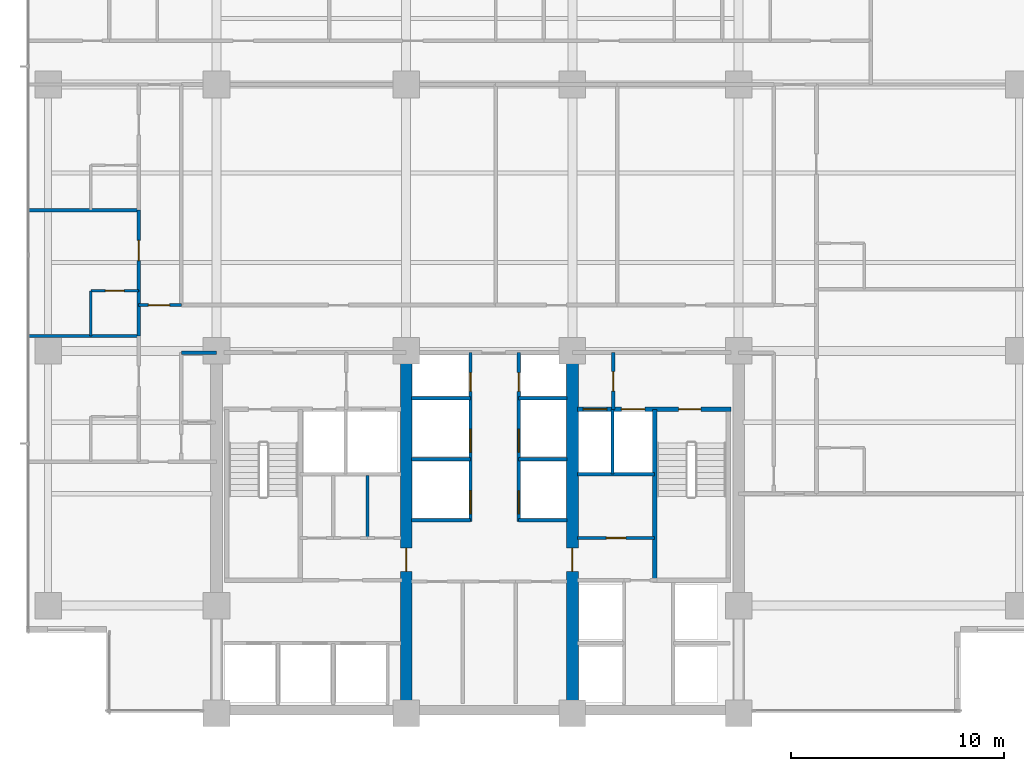
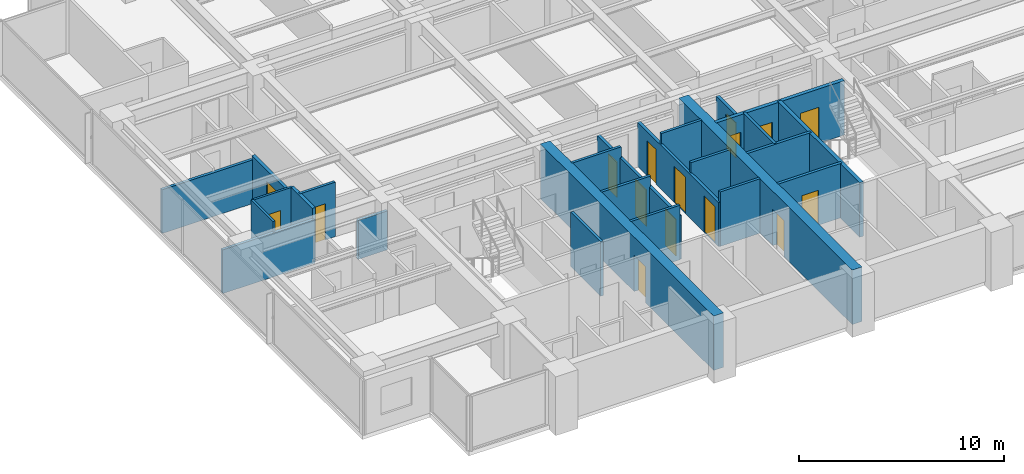
# One storey, part 9 of 18: 25 walls, 16 doors, 16 openings.
"""IFC4 building model written with IfcOpenShell, lengths in metres."""

from ifc_helpers import new_model, si_unit, direction, frame, frame_2d, origin, place, context, subcontext, project, spatial, rectangle, extrude, material, layer, layer_set, type_object, element, fill, save


model = new_model("IFC4")

# Units and contexts
model_context = context("Model", 3, precision=1e-05, world=origin(), true_north=direction((0.0, 1.0)))
body_context = subcontext(model_context, "Body", "Model", "MODEL_VIEW")
ifc_project = project(units=[si_unit("LENGTHUNIT", "METRE"), si_unit("AREAUNIT", "SQUARE_METRE"), si_unit("VOLUMEUNIT", "CUBIC_METRE"), si_unit("PLANEANGLEUNIT", "RADIAN"), si_unit("MASSUNIT", "GRAM", prefix="KILO")], contexts=[model_context])

# Site, building, storey
site_placement = place(None, origin())
site = spatial("IfcSite", under=ifc_project, at=site_placement, CompositionType="ELEMENT")
building_placement = place(site_placement, origin())
building = spatial("IfcBuilding", under=site, at=building_placement, Name="Qalmaran Belvedere Hotel", CompositionType="ELEMENT")
storey_placement = place(building_placement, frame((0.0, 0.0, 95.199951171875)))
storey = spatial("IfcBuildingStorey", under=building, at=storey_placement, Name="L23", CompositionType="ELEMENT", Elevation=95.199951171875)

# Wall, opening, door
ifc_material_1 = material(Name="Concrete C60/75", Category="concrete")
ifc_layer_1 = layer(ifc_material_1, 0.550048828125, Name="Concrete C60/75")
ifc_layer_set_1 = layer_set([ifc_layer_1], Name="Concrete C60/75")
wall_type_1 = type_object("IfcWallType", Name="WL-CORE-550-C60", PredefinedType="SHEAR", material=ifc_layer_set_1)
wall_1_placement = place(storey_placement, frame((29.199951171875, 3.5, 0.0), z_axis=(0.0, 0.0, 1.0), x_axis=(0.0, 1.0, 0.0)))
wall_1 = element("IfcWall", 1, at=wall_1_placement, inside=storey, type_object=wall_type_1, Name="L23 Core West Spine Shear Wall", PredefinedType="SHEAR", context=body_context, shape_type="SweptSolid", body=[
    extrude(rectangle(XDim=16.89990234375, YDim=0.550048828125, at=frame_2d((8.449951171875, 0.0))), origin(), (0.0, 0.0, 1.0), 3.239990234375),
])
opening_1_placement = place(wall_1_placement, frame((7.75, 0.0, 0.0), z_axis=(0.0, 0.0, 1.0), x_axis=(-1.0, 0.0, 0.0)))
opening_1 = element("IfcOpeningElement", 2, at=opening_1_placement, cuts=wall_1, Name="Opening FD90", PredefinedType="OPENING", context=body_context, shape_type="SweptSolid", body=[
    extrude(rectangle(XDim=1.10009765625, YDim=2.14990234375, at=frame_2d((0.550048828125, 1.074951171875))), frame((0.0, 0.28515625, 0.0), z_axis=(0.0, -1.0, 0.0), x_axis=(1.0, 0.0, 0.0)), (0.0, 0.0, 1.0), 0.570068359375),
])
ifc_material_2 = material(Name="Steel S355JR", Category="steel")
door_type_1 = type_object("IfcDoorType", Name="DR-FD90-1100X2150", OperationType="NOTDEFINED", PredefinedType="DOOR", material=ifc_material_2)
door_1_placement = place(opening_1_placement, origin())
door_1 = element("IfcDoor", 3, at=door_1_placement, inside=storey, type_object=door_type_1, Name="L23 Core West Cross-Lobby Door", OperationType="SINGLE_SWING_RIGHT", OverallHeight=2.14990234375, OverallWidth=1.10009765625, PredefinedType="DOOR", context=body_context, shape_type="SweptSolid", body=[
    extrude(rectangle(XDim=1.10009765625, YDim=2.14990234375, at=frame_2d((0.550048828125, 1.074951171875))), frame((0.0, 0.02490234375, 0.0), z_axis=(0.0, -1.0, 0.0), x_axis=(1.0, 0.0, 0.0)), (0.0, 0.0, 1.0), 0.050048828125),
])
fill(opening_1, door_1)

wall_2_placement = place(storey_placement, frame((37.0, 3.5, 0.0), z_axis=(0.0, 0.0, 1.0), x_axis=(0.0, 1.0, 0.0)))
wall_2 = element("IfcWall", 4, at=wall_2_placement, inside=storey, type_object=wall_type_1, Name="L23 Core East Spine Shear Wall", PredefinedType="SHEAR", context=body_context, shape_type="SweptSolid", body=[
    extrude(rectangle(XDim=16.89990234375, YDim=0.550048828125, at=frame_2d((8.449951171875, 0.0))), origin(), (0.0, 0.0, 1.0), 3.239990234375),
])
opening_2_placement = place(wall_2_placement, frame((6.64990234375, 0.0, 0.0)))
opening_2 = element("IfcOpeningElement", 5, at=opening_2_placement, cuts=wall_2, Name="Opening FD90", PredefinedType="OPENING", context=body_context, shape_type="SweptSolid", body=[
    extrude(rectangle(XDim=1.10009765625, YDim=2.14990234375, at=frame_2d((0.550048828125, 1.074951171875))), frame((0.0, 0.28515625, 0.0), z_axis=(0.0, -1.0, 0.0), x_axis=(1.0, 0.0, 0.0)), (0.0, 0.0, 1.0), 0.570068359375),
])
door_2_placement = place(opening_2_placement, origin())
door_2 = element("IfcDoor", 6, at=door_2_placement, inside=storey, type_object=door_type_1, Name="L23 Core East Cross-Lobby Door", OperationType="SINGLE_SWING_LEFT", OverallHeight=2.14990234375, OverallWidth=1.10009765625, PredefinedType="DOOR", context=body_context, shape_type="SweptSolid", body=[
    extrude(rectangle(XDim=1.10009765625, YDim=2.14990234375, at=frame_2d((0.550048828125, 1.074951171875))), frame((0.0, 0.02490234375, 0.0), z_axis=(0.0, -1.0, 0.0), x_axis=(1.0, 0.0, 0.0)), (0.0, 0.0, 1.0), 0.050048828125),
])
fill(opening_2, door_2)

ifc_material_3 = material(Name="Moisture-Resistant Gypsum")
ifc_layer_2 = layer(ifc_material_3, 0.1201171875, Name="Moisture-Resistant Gypsum")
ifc_layer_set_2 = layer_set([ifc_layer_2], Name="Moisture-Resistant Gypsum")
wall_type_2 = type_object("IfcWallType", Name="WL-INT-120-BATH", PredefinedType="PARTITIONING", material=ifc_layer_set_2)
wall_3_placement = place(storey_placement, frame((14.39990234375, 23.320068359375, 0.0), z_axis=(0.0, 0.0, 1.0), x_axis=(1.0, 0.0, 0.0)))
wall_3 = element("IfcWall", 7, at=wall_3_placement, inside=storey, type_object=wall_type_2, Name="L23 Partition WL-L23-WBN01", PredefinedType="PARTITIONING", context=body_context, shape_type="SweptSolid", body=[
    extrude(rectangle(XDim=2.25, YDim=0.1201171875, at=frame_2d((1.125, 0.0))), origin(), (0.0, 0.0, 1.0), 3.239990234375),
])
opening_3_placement = place(wall_3_placement, frame((1.56494140625, 0.0, 0.0), z_axis=(0.0, 0.0, 1.0), x_axis=(-1.0, 0.0, 0.0)))
opening_3 = element("IfcOpeningElement", 8, at=opening_3_placement, cuts=wall_3, Name="Opening D-BATH", PredefinedType="OPENING", context=body_context, shape_type="SweptSolid", body=[
    extrude(rectangle(XDim=0.8798828125, YDim=2.080078125, at=frame_2d((0.43994140625, 1.0400390625))), frame((0.0, 0.070068359375, 0.0), z_axis=(0.0, -1.0, 0.0), x_axis=(1.0, 0.0, 0.0)), (0.0, 0.0, 1.0), 0.14013671875),
])
ifc_material_4 = material(Name="Engineered Oak Veneer")
door_type_2 = type_object("IfcDoorType", Name="DR-INT-BATH-880X2080", OperationType="NOTDEFINED", PredefinedType="DOOR", material=ifc_material_4)
door_3_placement = place(opening_3_placement, origin())
door_3 = element("IfcDoor", 9, at=door_3_placement, inside=storey, type_object=door_type_2, Name="L23 W Ensuite Door 02", OperationType="SINGLE_SWING_LEFT", OverallHeight=2.080078125, OverallWidth=0.8798828125, PredefinedType="DOOR", context=body_context, shape_type="SweptSolid", body=[
    extrude(rectangle(XDim=0.8798828125, YDim=2.080078125, at=frame_2d((0.43994140625, 1.0400390625))), frame((0.0, 0.02490234375, 0.0), z_axis=(0.0, -1.0, 0.0), x_axis=(1.0, 0.0, 0.0)), (0.0, 0.0, 1.0), 0.050048828125),
])
fill(opening_3, door_3)

# Walls
wall_4_placement = place(storey_placement, frame((14.39990234375, 21.199951171875, 0.0), z_axis=(0.0, 0.0, 1.0), x_axis=(0.0, 1.0, 0.0)))
element("IfcWall", 10, at=wall_4_placement, inside=storey, type_object=wall_type_2, Name="L23 Partition WL-L23-WBS01", PredefinedType="PARTITIONING", context=body_context, shape_type="SweptSolid", body=[
    extrude(rectangle(XDim=2.1201171875, YDim=0.1201171875, at=frame_2d((1.06005859375, 0.0))), origin(), (0.0, 0.0, 1.0), 3.239990234375),
])
ifc_material_5 = material(Name="Gypsum Stud Partition")
ifc_layer_3 = layer(ifc_material_5, 0.14990234375, Name="Gypsum Stud Partition")
ifc_layer_set_3 = layer_set([ifc_layer_3], Name="Gypsum Stud Partition")
wall_type_3 = type_object("IfcWallType", Name="WL-INT-150-EI120", PredefinedType="PARTITIONING", material=ifc_layer_set_3)
wall_5_placement = place(storey_placement, frame((38.8798828125, 14.719970703125, 0.0), z_axis=(0.0, 0.0, 1.0), x_axis=(0.0, 1.0, 0.0)))
element("IfcWall", 11, at=wall_5_placement, inside=storey, type_object=wall_type_3, Name="L23 Partition WL-FF2M-L23", PredefinedType="PARTITIONING", context=body_context, shape_type="SweptSolid", body=[
    extrude(rectangle(XDim=3.0400390625, YDim=0.14990234375, at=frame_2d((1.52001953125, 0.0))), origin(), (0.0, 0.0, 1.0), 3.239990234375),
])
wall_6_placement = place(storey_placement, frame((29.449951171875, 12.550048828125, 0.0), z_axis=(0.0, 0.0, 1.0), x_axis=(1.0, 0.0, 0.0)))
element("IfcWall", 12, at=wall_6_placement, inside=storey, type_object=wall_type_3, Name="L23 Partition WL-PMW-L23-125", PredefinedType="PARTITIONING", context=body_context, shape_type="SweptSolid", body=[
    extrude(rectangle(XDim=2.77001953125, YDim=0.14990234375, at=frame_2d((1.385009765625, 0.0))), origin(), (0.0, 0.0, 1.0), 3.239990234375),
])
wall_7_placement = place(storey_placement, frame((34.47998046875, 12.550048828125, 0.0), z_axis=(0.0, 0.0, 1.0), x_axis=(1.0, 0.0, 0.0)))
element("IfcWall", 13, at=wall_7_placement, inside=storey, type_object=wall_type_3, Name="L23 Partition WL-PME-L23-125", PredefinedType="PARTITIONING", context=body_context, shape_type="SweptSolid", body=[
    extrude(rectangle(XDim=2.27001953125, YDim=0.14990234375, at=frame_2d((1.135009765625, 0.0))), origin(), (0.0, 0.0, 1.0), 3.239990234375),
])
wall_8_placement = place(storey_placement, frame((29.449951171875, 15.419921875, 0.0), z_axis=(0.0, 0.0, 1.0), x_axis=(1.0, 0.0, 0.0)))
element("IfcWall", 14, at=wall_8_placement, inside=storey, type_object=wall_type_3, Name="L23 Partition WL-PMW-L23-154", PredefinedType="PARTITIONING", context=body_context, shape_type="SweptSolid", body=[
    extrude(rectangle(XDim=2.77001953125, YDim=0.14990234375, at=frame_2d((1.385009765625, 0.0))), origin(), (0.0, 0.0, 1.0), 3.239990234375),
])
wall_9_placement = place(storey_placement, frame((34.47998046875, 15.419921875, 0.0), z_axis=(0.0, 0.0, 1.0), x_axis=(1.0, 0.0, 0.0)))
element("IfcWall", 15, at=wall_9_placement, inside=storey, type_object=wall_type_3, Name="L23 Partition WL-PME-L23-154", PredefinedType="PARTITIONING", context=body_context, shape_type="SweptSolid", body=[
    extrude(rectangle(XDim=2.27001953125, YDim=0.14990234375, at=frame_2d((1.135009765625, 0.0))), origin(), (0.0, 0.0, 1.0), 3.239990234375),
])
wall_10_placement = place(storey_placement, frame((29.449951171875, 18.280029296875, 0.0), z_axis=(0.0, 0.0, 1.0), x_axis=(1.0, 0.0, 0.0)))
element("IfcWall", 16, at=wall_10_placement, inside=storey, type_object=wall_type_3, Name="L23 Partition WL-PMW-L23-182", PredefinedType="PARTITIONING", context=body_context, shape_type="SweptSolid", body=[
    extrude(rectangle(XDim=2.77001953125, YDim=0.14990234375, at=frame_2d((1.385009765625, 0.0))), origin(), (0.0, 0.0, 1.0), 3.239990234375),
])
wall_11_placement = place(storey_placement, frame((34.47998046875, 18.280029296875, 0.0), z_axis=(0.0, 0.0, 1.0), x_axis=(1.0, 0.0, 0.0)))
element("IfcWall", 17, at=wall_11_placement, inside=storey, type_object=wall_type_3, Name="L23 Partition WL-PME-L23-182", PredefinedType="PARTITIONING", context=body_context, shape_type="SweptSolid", body=[
    extrude(rectangle(XDim=2.27001953125, YDim=0.14990234375, at=frame_2d((1.135009765625, 0.0))), origin(), (0.0, 0.0, 1.0), 3.239990234375),
])
ifc_layer_4 = layer(ifc_material_5, 0.14990234375, Name="Gypsum Stud Partition")
ifc_layer_set_4 = layer_set([ifc_layer_4], Name="Gypsum Stud Partition")
wall_type_4 = type_object("IfcWallType", Name="WL-INT-150-EI60", PredefinedType="PARTITIONING", material=ifc_layer_set_4)
wall_12_placement = place(storey_placement, frame((27.38916015625, 11.719970703125, 0.0), z_axis=(0.0, 0.0, 1.0), x_axis=(0.0, 1.0, 0.0)))
element("IfcWall", 18, at=wall_12_placement, inside=storey, type_object=wall_type_4, Name="L23 Partition WL-L23-KWV2", PredefinedType="PARTITIONING", context=body_context, shape_type="SweptSolid", body=[
    extrude(rectangle(XDim=2.929931640625, YDim=0.14990234375, at=frame_2d((1.46484375, 0.0))), origin(), (0.0, 0.0, 1.0), 3.239990234375),
])

# Wall, opening, door
wall_13_placement = place(storey_placement, frame((16.64990234375, 22.64990234375, 0.0), z_axis=(0.0, 0.0, 1.0), x_axis=(1.0, 0.0, 0.0)))
wall_13 = element("IfcWall", 19, at=wall_13_placement, inside=storey, type_object=wall_type_4, Name="L23 Partition WL-L23-XCW1", PredefinedType="PARTITIONING", context=body_context, shape_type="SweptSolid", body=[
    extrude(rectangle(XDim=2.0, YDim=0.14990234375, at=frame_2d((1.0, 0.0))), origin(), (0.0, 0.0, 1.0), 3.239990234375),
])
opening_4_placement = place(wall_13_placement, frame((0.449951171875, 0.0, 0.0)))
opening_4 = element("IfcOpeningElement", 20, at=opening_4_placement, cuts=wall_13, Name="Opening FD90B", PredefinedType="OPENING", context=body_context, shape_type="SweptSolid", body=[
    extrude(rectangle(XDim=1.0, YDim=2.14990234375, at=frame_2d((0.5, 1.074951171875))), frame((0.0, 0.0849609375, 0.0), z_axis=(0.0, -1.0, 0.0), x_axis=(1.0, 0.0, 0.0)), (0.0, 0.0, 1.0), 0.169921875),
])
door_type_3 = type_object("IfcDoorType", Name="DR-FD90B-1000X2150", OperationType="NOTDEFINED", PredefinedType="DOOR", material=ifc_material_2)
door_4_placement = place(opening_4_placement, origin())
door_4 = element("IfcDoor", 21, at=door_4_placement, inside=storey, type_object=door_type_3, Name="L23 West Corridor Smoke Door S", OperationType="SINGLE_SWING_RIGHT", OverallHeight=2.14990234375, OverallWidth=1.0, PredefinedType="DOOR", context=body_context, shape_type="SweptSolid", body=[
    extrude(rectangle(XDim=1.0, YDim=2.14990234375, at=frame_2d((0.5, 1.074951171875))), frame((0.0, 0.02490234375, 0.0), z_axis=(0.0, -1.0, 0.0), x_axis=(1.0, 0.0, 0.0)), (0.0, 0.0, 1.0), 0.050048828125),
])
fill(opening_4, door_4)

ifc_layer_5 = layer(ifc_material_5, 0.159912109375, Name="Gypsum Stud Partition")
ifc_layer_set_5 = layer_set([ifc_layer_5], Name="Gypsum Stud Partition")
wall_type_5 = type_object("IfcWallType", Name="WL-INT-160-EI120", PredefinedType="PARTITIONING", material=ifc_layer_set_5)
wall_14_placement = place(storey_placement, frame((38.919921875, 17.760009765625, 0.0), z_axis=(0.0, 0.0, 1.0), x_axis=(0.0, 1.0, 0.0)))
wall_14 = element("IfcWall", 22, at=wall_14_placement, inside=storey, type_object=wall_type_5, Name="L23 Partition WL-FFSV2-L23", PredefinedType="PARTITIONING", context=body_context, shape_type="SweptSolid", body=[
    extrude(rectangle(XDim=2.659912109375, YDim=0.159912109375, at=frame_2d((1.330078125, 0.0))), origin(), (0.0, 0.0, 1.0), 2.614013671875),
])
opening_5_placement = place(wall_14_placement, frame((1.77001953125, 0.0, 0.0), z_axis=(0.0, 0.0, 1.0), x_axis=(-1.0, 0.0, 0.0)))
opening_5 = element("IfcOpeningElement", 23, at=opening_5_placement, cuts=wall_14, Name="Opening FD60S1", PredefinedType="OPENING", context=body_context, shape_type="SweptSolid", body=[
    extrude(rectangle(XDim=0.919921875, YDim=2.080078125, at=frame_2d((0.4599609375, 1.0400390625))), frame((0.0, 0.08984375, 0.0), z_axis=(0.0, -1.0, 0.0), x_axis=(1.0, 0.0, 0.0)), (0.0, 0.0, 1.0), 0.179931640625),
])
door_type_4 = type_object("IfcDoorType", Name="DR-FD60S-920X2080", OperationType="NOTDEFINED", PredefinedType="DOOR", material=ifc_material_4)
door_5_placement = place(opening_5_placement, origin())
door_5 = element("IfcDoor", 24, at=door_5_placement, inside=storey, type_object=door_type_4, Name="L23 Service Lobby East Door", OperationType="SINGLE_SWING_LEFT", OverallHeight=2.080078125, OverallWidth=0.919921875, PredefinedType="DOOR", context=body_context, shape_type="SweptSolid", body=[
    extrude(rectangle(XDim=0.919921875, YDim=2.080078125, at=frame_2d((0.4599609375, 1.0400390625))), frame((0.0, 0.02490234375, 0.0), z_axis=(0.0, -1.0, 0.0), x_axis=(1.0, 0.0, 0.0)), (0.0, 0.0, 1.0), 0.050048828125),
])
fill(opening_5, door_5)

# Wall
wall_15_placement = place(storey_placement, frame((37.25, 14.719970703125, 0.0), z_axis=(0.0, 0.0, 1.0), x_axis=(1.0, 0.0, 0.0)))
element("IfcWall", 25, at=wall_15_placement, inside=storey, type_object=wall_type_5, Name="L23 Partition WL-FF2S-L23", PredefinedType="PARTITIONING", context=body_context, shape_type="SweptSolid", body=[
    extrude(rectangle(XDim=3.610107421875, YDim=0.159912109375, at=frame_2d((1.80517578125, 0.0))), origin(), (0.0, 0.0, 1.0), 3.239990234375),
])

# Wall, openings, doors
wall_16_placement = place(storey_placement, frame((32.219970703125, 12.5, 0.0), z_axis=(0.0, 0.0, 1.0), x_axis=(0.0, 1.0, 0.0)))
wall_16 = element("IfcWall", 26, at=wall_16_placement, inside=storey, type_object=wall_type_5, Name="L23 Partition WL-CLBWN-L23", PredefinedType="PARTITIONING", context=body_context, shape_type="SweptSolid", body=[
    extrude(rectangle(XDim=7.919921875, YDim=0.159912109375, at=frame_2d((3.9599609375, 0.0))), origin(), (0.0, 0.0, 1.0), 2.614013671875),
])
opening_6_placement = place(wall_16_placement, frame((1.43017578125, 0.0, 0.0), z_axis=(0.0, 0.0, 1.0), x_axis=(-1.0, 0.0, 0.0)))
opening_6 = element("IfcOpeningElement", 27, at=opening_6_placement, cuts=wall_16, Name="Opening LD-P1", PredefinedType="OPENING", context=body_context, shape_type="SweptSolid", body=[
    extrude(rectangle(XDim=1.080078125, YDim=2.159912109375, at=frame_2d((0.5400390625, 1.080078125))), frame((0.0, 0.08984375, 0.0), z_axis=(0.0, -1.0, 0.0), x_axis=(1.0, 0.0, 0.0)), (0.0, 0.0, 1.0), 0.179931640625),
])
opening_7_placement = place(wall_16_placement, frame((4.330078125, 0.0, 0.0), z_axis=(0.0, 0.0, 1.0), x_axis=(-1.0, 0.0, 0.0)))
opening_7 = element("IfcOpeningElement", 28, at=opening_7_placement, cuts=wall_16, Name="Opening LD-P1", PredefinedType="OPENING", context=body_context, shape_type="SweptSolid", body=[
    extrude(rectangle(XDim=1.080078125, YDim=2.159912109375, at=frame_2d((0.5400390625, 1.080078125))), frame((0.0, 0.08984375, 0.0), z_axis=(0.0, -1.0, 0.0), x_axis=(1.0, 0.0, 0.0)), (0.0, 0.0, 1.0), 0.179931640625),
])
opening_8_placement = place(wall_16_placement, frame((6.10009765625, 0.0, 0.0)))
opening_8 = element("IfcOpeningElement", 29, at=opening_8_placement, cuts=wall_16, Name="Opening FD60B", PredefinedType="OPENING", context=body_context, shape_type="SweptSolid", body=[
    extrude(rectangle(XDim=0.8798828125, YDim=2.080078125, at=frame_2d((0.43994140625, 1.0400390625))), frame((0.0, 0.08984375, 0.0), z_axis=(0.0, -1.0, 0.0), x_axis=(1.0, 0.0, 0.0)), (0.0, 0.0, 1.0), 0.179931640625),
])
door_type_5 = type_object("IfcDoorType", Name="DR-FD60B-880X2080", OperationType="NOTDEFINED", PredefinedType="DOOR", material=ifc_material_2)
door_6_placement = place(opening_8_placement, origin())
door_6 = element("IfcDoor", 30, at=door_6_placement, inside=storey, type_object=door_type_5, Name="L23 West Riser Access Door", OperationType="SINGLE_SWING_RIGHT", OverallHeight=2.080078125, OverallWidth=0.8798828125, PredefinedType="DOOR", context=body_context, shape_type="SweptSolid", body=[
    extrude(rectangle(XDim=0.8798828125, YDim=2.080078125, at=frame_2d((0.43994140625, 1.0400390625))), frame((0.0, 0.02490234375, 0.0), z_axis=(0.0, -1.0, 0.0), x_axis=(1.0, 0.0, 0.0)), (0.0, 0.0, 1.0), 0.050048828125),
])
fill(opening_8, door_6)
ifc_material_6 = material(Name="Stainless Steel 1.4401", Category="steel")
door_type_6 = type_object("IfcDoorType", Name="DR-LIFT-P1-1080X2160", OperationType="DOUBLE_DOOR_SLIDING", PredefinedType="DOOR", material=ifc_material_6)
door_7_placement = place(opening_6_placement, origin())
door_7 = element("IfcDoor", 31, at=door_7_placement, inside=storey, type_object=door_type_6, Name="L23 PM1 Lift Landing Door", OperationType="DOUBLE_DOOR_SLIDING", OverallHeight=2.159912109375, OverallWidth=1.080078125, PredefinedType="DOOR", context=body_context, shape_type="SweptSolid", body=[
    extrude(rectangle(XDim=1.080078125, YDim=2.159912109375, at=frame_2d((0.5400390625, 1.080078125))), frame((0.0, 0.02490234375, 0.0), z_axis=(0.0, -1.0, 0.0), x_axis=(1.0, 0.0, 0.0)), (0.0, 0.0, 1.0), 0.050048828125),
])
fill(opening_6, door_7)
door_8_placement = place(opening_7_placement, origin())
door_8 = element("IfcDoor", 32, at=door_8_placement, inside=storey, type_object=door_type_6, Name="L23 PM2 Lift Landing Door", OperationType="DOUBLE_DOOR_SLIDING", OverallHeight=2.159912109375, OverallWidth=1.080078125, PredefinedType="DOOR", context=body_context, shape_type="SweptSolid", body=[
    extrude(rectangle(XDim=1.080078125, YDim=2.159912109375, at=frame_2d((0.5400390625, 1.080078125))), frame((0.0, 0.02490234375, 0.0), z_axis=(0.0, -1.0, 0.0), x_axis=(1.0, 0.0, 0.0)), (0.0, 0.0, 1.0), 0.050048828125),
])
fill(opening_7, door_8)

wall_17_placement = place(storey_placement, frame((34.47998046875, 12.5, 0.0), z_axis=(0.0, 0.0, 1.0), x_axis=(0.0, 1.0, 0.0)))
wall_17 = element("IfcWall", 33, at=wall_17_placement, inside=storey, type_object=wall_type_5, Name="L23 Partition WL-CLBEN-L23", PredefinedType="PARTITIONING", context=body_context, shape_type="SweptSolid", body=[
    extrude(rectangle(XDim=7.919921875, YDim=0.159912109375, at=frame_2d((3.9599609375, 0.0))), origin(), (0.0, 0.0, 1.0), 2.614013671875),
])
opening_9_placement = place(wall_17_placement, frame((0.35009765625, 0.0, 0.0)))
opening_9 = element("IfcOpeningElement", 34, at=opening_9_placement, cuts=wall_17, Name="Opening LD-P1", PredefinedType="OPENING", context=body_context, shape_type="SweptSolid", body=[
    extrude(rectangle(XDim=1.080078125, YDim=2.159912109375, at=frame_2d((0.5400390625, 1.080078125))), frame((0.0, 0.08984375, 0.0), z_axis=(0.0, -1.0, 0.0), x_axis=(1.0, 0.0, 0.0)), (0.0, 0.0, 1.0), 0.179931640625),
])
opening_10_placement = place(wall_17_placement, frame((3.25, 0.0, 0.0)))
opening_10 = element("IfcOpeningElement", 35, at=opening_10_placement, cuts=wall_17, Name="Opening LD-P1", PredefinedType="OPENING", context=body_context, shape_type="SweptSolid", body=[
    extrude(rectangle(XDim=1.080078125, YDim=2.159912109375, at=frame_2d((0.5400390625, 1.080078125))), frame((0.0, 0.08984375, 0.0), z_axis=(0.0, -1.0, 0.0), x_axis=(1.0, 0.0, 0.0)), (0.0, 0.0, 1.0), 0.179931640625),
])
opening_11_placement = place(wall_17_placement, frame((6.97998046875, 0.0, 0.0), z_axis=(0.0, 0.0, 1.0), x_axis=(-1.0, 0.0, 0.0)))
opening_11 = element("IfcOpeningElement", 36, at=opening_11_placement, cuts=wall_17, Name="Opening FD60B", PredefinedType="OPENING", context=body_context, shape_type="SweptSolid", body=[
    extrude(rectangle(XDim=0.8798828125, YDim=2.080078125, at=frame_2d((0.43994140625, 1.0400390625))), frame((0.0, 0.08984375, 0.0), z_axis=(0.0, -1.0, 0.0), x_axis=(1.0, 0.0, 0.0)), (0.0, 0.0, 1.0), 0.179931640625),
])
door_9_placement = place(opening_11_placement, origin())
door_9 = element("IfcDoor", 37, at=door_9_placement, inside=storey, type_object=door_type_5, Name="L23 East Riser Access Door", OperationType="SINGLE_SWING_LEFT", OverallHeight=2.080078125, OverallWidth=0.8798828125, PredefinedType="DOOR", context=body_context, shape_type="SweptSolid", body=[
    extrude(rectangle(XDim=0.8798828125, YDim=2.080078125, at=frame_2d((0.43994140625, 1.0400390625))), frame((0.0, 0.02490234375, 0.0), z_axis=(0.0, -1.0, 0.0), x_axis=(1.0, 0.0, 0.0)), (0.0, 0.0, 1.0), 0.050048828125),
])
fill(opening_11, door_9)
door_10_placement = place(opening_9_placement, origin())
door_10 = element("IfcDoor", 38, at=door_10_placement, inside=storey, type_object=door_type_6, Name="L23 PM3 Lift Landing Door", OperationType="DOUBLE_DOOR_SLIDING", OverallHeight=2.159912109375, OverallWidth=1.080078125, PredefinedType="DOOR", context=body_context, shape_type="SweptSolid", body=[
    extrude(rectangle(XDim=1.080078125, YDim=2.159912109375, at=frame_2d((0.5400390625, 1.080078125))), frame((0.0, 0.02490234375, 0.0), z_axis=(0.0, -1.0, 0.0), x_axis=(1.0, 0.0, 0.0)), (0.0, 0.0, 1.0), 0.050048828125),
])
fill(opening_9, door_10)
door_11_placement = place(opening_10_placement, origin())
door_11 = element("IfcDoor", 39, at=door_11_placement, inside=storey, type_object=door_type_6, Name="L23 PM4 Lift Landing Door", OperationType="DOUBLE_DOOR_SLIDING", OverallHeight=2.159912109375, OverallWidth=1.080078125, PredefinedType="DOOR", context=body_context, shape_type="SweptSolid", body=[
    extrude(rectangle(XDim=1.080078125, YDim=2.159912109375, at=frame_2d((0.5400390625, 1.080078125))), frame((0.0, 0.02490234375, 0.0), z_axis=(0.0, -1.0, 0.0), x_axis=(1.0, 0.0, 0.0)), (0.0, 0.0, 1.0), 0.050048828125),
])
fill(opening_10, door_11)

# Wall, opening, door
ifc_layer_6 = layer(ifc_material_5, 0.159912109375, Name="Gypsum Stud Partition")
ifc_layer_set_6 = layer_set([ifc_layer_6], Name="Gypsum Stud Partition")
wall_type_6 = type_object("IfcWallType", Name="WL-INT-160-EI60", PredefinedType="PARTITIONING", material=ifc_layer_set_6)
wall_18_placement = place(storey_placement, frame((37.25, 11.719970703125, 0.0), z_axis=(0.0, 0.0, 1.0), x_axis=(1.0, 0.0, 0.0)))
wall_18 = element("IfcWall", 40, at=wall_18_placement, inside=storey, type_object=wall_type_6, Name="L23 Partition WL-L23-KEE1", PredefinedType="PARTITIONING", context=body_context, shape_type="SweptSolid", body=[
    extrude(rectangle(XDim=3.610107421875, YDim=0.159912109375, at=frame_2d((1.80517578125, 0.0))), origin(), (0.0, 0.0, 1.0), 3.239990234375),
])
opening_12_placement = place(wall_18_placement, frame((1.344970703125, 0.0, 0.0)))
opening_12 = element("IfcOpeningElement", 41, at=opening_12_placement, cuts=wall_18, Name="Opening FD60S1", PredefinedType="OPENING", context=body_context, shape_type="SweptSolid", body=[
    extrude(rectangle(XDim=0.919921875, YDim=2.080078125, at=frame_2d((0.4599609375, 1.0400390625))), frame((0.0, 0.08984375, 0.0), z_axis=(0.0, -1.0, 0.0), x_axis=(1.0, 0.0, 0.0)), (0.0, 0.0, 1.0), 0.179931640625),
])
door_12_placement = place(opening_12_placement, origin())
door_12 = element("IfcDoor", 42, at=door_12_placement, inside=storey, type_object=door_type_4, Name="L23 Guest Ice and Beverage Pantry Door", OperationType="SINGLE_SWING_RIGHT", OverallHeight=2.080078125, OverallWidth=0.919921875, PredefinedType="DOOR", context=body_context, shape_type="SweptSolid", body=[
    extrude(rectangle(XDim=0.919921875, YDim=2.080078125, at=frame_2d((0.4599609375, 1.0400390625))), frame((0.0, 0.02490234375, 0.0), z_axis=(0.0, -1.0, 0.0), x_axis=(1.0, 0.0, 0.0)), (0.0, 0.0, 1.0), 0.050048828125),
])
fill(opening_12, door_12)

# Walls
wall_19_placement = place(storey_placement, frame((18.64990234375, 20.419921875, 0.0), z_axis=(0.0, 0.0, 1.0), x_axis=(1.0, 0.0, 0.0)))
element("IfcWall", 43, at=wall_19_placement, inside=storey, type_object=wall_type_6, Name="L23 Partition WL-L23-WCLN", PredefinedType="PARTITIONING", context=body_context, shape_type="SweptSolid", body=[
    extrude(rectangle(XDim=1.650146484375, YDim=0.159912109375, at=frame_2d((0.8251953125, 0.0))), origin(), (0.0, 0.0, 1.0), 2.31298828125),
])
for number, where, z_axis, x_axis, name in (
    (44, (11.469970703125, 21.199951171875, 0.0), (0.0, 0.0, 1.0), (1.0, 0.0, 0.0), "L23 Partition WL-L23-WU00"),
    (45, (11.469970703125, 27.10009765625, 0.0), (0.0, 0.0, 1.0), (1.0, 0.0, 0.0), "L23 Partition WL-L23-WU01"),
):
    element("IfcWall", number, at=place(storey_placement, frame(where, z_axis=z_axis, x_axis=x_axis)), inside=storey, type_object=wall_type_6, Name=name, PredefinedType="PARTITIONING", context=body_context, shape_type="SweptSolid", body=[
        extrude(rectangle(XDim=5.179931640625, YDim=0.159912109375, at=frame_2d((2.58984375, 0.0))), origin(), (0.0, 0.0, 1.0), 2.60302734375),
    ])
ifc_layer_7 = layer(ifc_material_5, 0.179931640625, Name="Gypsum Stud Partition")
ifc_layer_set_7 = layer_set([ifc_layer_7], Name="Gypsum Stud Partition")
wall_type_7 = type_object("IfcWallType", Name="WL-INT-180-EI60", PredefinedType="PARTITIONING", material=ifc_layer_set_7)
wall_20_placement = place(storey_placement, frame((16.64990234375, 21.199951171875, 0.0), z_axis=(0.0, 0.0, 1.0), x_axis=(0.0, 1.0, 0.0)))
element("IfcWall", 46, at=wall_20_placement, inside=storey, type_object=wall_type_7, Name="L23 Partition WL-L23-WBC01", PredefinedType="PARTITIONING", context=body_context, shape_type="SweptSolid", body=[
    extrude(rectangle(XDim=2.1201171875, YDim=0.179931640625, at=frame_2d((1.06005859375, 0.0))), origin(), (0.0, 0.0, 1.0), 3.239990234375),
])

# Wall, opening, door
wall_21_placement = place(storey_placement, frame((16.64990234375, 23.320068359375, 0.0), z_axis=(0.0, 0.0, 1.0), x_axis=(0.0, 1.0, 0.0)))
wall_21 = element("IfcWall", 47, at=wall_21_placement, inside=storey, type_object=wall_type_7, Name="L23 Partition WL-L23-WEC01", PredefinedType="PARTITIONING", context=body_context, shape_type="SweptSolid", body=[
    extrude(rectangle(XDim=3.780029296875, YDim=0.179931640625, at=frame_2d((1.89013671875, 0.0))), origin(), (0.0, 0.0, 1.0), 2.818115234375),
])
opening_13_placement = place(wall_21_placement, frame((1.4150390625, 0.0, 0.0)))
opening_13 = element("IfcOpeningElement", 48, at=opening_13_placement, cuts=wall_21, Name="Opening FD60", PredefinedType="OPENING", context=body_context, shape_type="SweptSolid", body=[
    extrude(rectangle(XDim=0.949951171875, YDim=2.14990234375, at=frame_2d((0.47509765625, 1.074951171875))), frame((0.0, 0.10009765625, 0.0), z_axis=(0.0, -1.0, 0.0), x_axis=(1.0, 0.0, 0.0)), (0.0, 0.0, 1.0), 0.199951171875),
])
door_type_7 = type_object("IfcDoorType", Name="DR-FD60-950X2150", OperationType="NOTDEFINED", PredefinedType="DOOR", material=ifc_material_4)
door_13_placement = place(opening_13_placement, origin())
door_13 = element("IfcDoor", 49, at=door_13_placement, inside=storey, type_object=door_type_7, Name="L23 W Wing Door 02", OperationType="SINGLE_SWING_RIGHT", OverallHeight=2.14990234375, OverallWidth=0.949951171875, PredefinedType="DOOR", context=body_context, shape_type="SweptSolid", body=[
    extrude(rectangle(XDim=0.949951171875, YDim=2.14990234375, at=frame_2d((0.47509765625, 1.074951171875))), frame((0.0, 0.02490234375, 0.0), z_axis=(0.0, -1.0, 0.0), x_axis=(1.0, 0.0, 0.0)), (0.0, 0.0, 1.0), 0.050048828125),
])
fill(opening_13, door_13)

# Wall
ifc_material_7 = material(Name="Concrete C50/60", Category="concrete")
ifc_layer_8 = layer(ifc_material_7, 0.2099609375, Name="Concrete C50/60")
ifc_layer_set_8 = layer_set([ifc_layer_8], Name="Concrete C50/60")
wall_type_8 = type_object("IfcWallType", Name="WL-STAIR-210-C50", PredefinedType="SHEAR", material=ifc_layer_set_8)
wall_22_placement = place(storey_placement, frame((40.85498046875, 9.7451171875, 0.0), z_axis=(0.0, 0.0, 1.0), x_axis=(0.0, 1.0, 0.0)))
element("IfcWall", 50, at=wall_22_placement, inside=storey, type_object=wall_type_8, Name="L23 Stair ST-2 West Bearing Wall", PredefinedType="SHEAR", context=body_context, shape_type="SweptSolid", body=[
    extrude(rectangle(XDim=8.009765625, YDim=0.2099609375, at=frame_2d((4.0048828125, 0.0))), origin(), (0.0, 0.0, 1.0), 3.239990234375),
])

# Wall, openings, doors
wall_23_placement = place(storey_placement, frame((37.25, 17.7548828125, 0.0), z_axis=(0.0, 0.0, 1.0), x_axis=(1.0, 0.0, 0.0)))
wall_23 = element("IfcWall", 51, at=wall_23_placement, inside=storey, type_object=wall_type_8, Name="L23 East Lobby and Stair ST-2 North Bearing Wall", PredefinedType="SHEAR", context=body_context, shape_type="SweptSolid", body=[
    extrude(rectangle(XDim=7.199951171875, YDim=0.2099609375, at=frame_2d((3.60009765625, 0.0))), origin(), (0.0, 0.0, 1.0), 3.239990234375),
])
opening_14_placement = place(wall_23_placement, frame((0.25, 0.0, 0.0)))
opening_14 = element("IfcOpeningElement", 52, at=opening_14_placement, cuts=wall_23, Name="Opening LD-SV", PredefinedType="OPENING", context=body_context, shape_type="SweptSolid", body=[
    extrude(rectangle(XDim=1.1201171875, YDim=2.199951171875, at=frame_2d((0.56005859375, 1.10009765625))), frame((0.0, 0.114990234375, 0.0), z_axis=(0.0, -1.0, 0.0), x_axis=(1.0, 0.0, 0.0)), (0.0, 0.0, 1.0), 0.22998046875),
])
opening_15_placement = place(wall_23_placement, frame((2.050048828125, 0.0, 0.0)))
opening_15 = element("IfcOpeningElement", 53, at=opening_15_placement, cuts=wall_23, Name="Opening LD-FF", PredefinedType="OPENING", context=body_context, shape_type="SweptSolid", body=[
    extrude(rectangle(XDim=1.10009765625, YDim=2.179931640625, at=frame_2d((0.550048828125, 1.08984375))), frame((0.0, 0.114990234375, 0.0), z_axis=(0.0, -1.0, 0.0), x_axis=(1.0, 0.0, 0.0)), (0.0, 0.0, 1.0), 0.22998046875),
])
opening_16_placement = place(wall_23_placement, frame((5.780029296875, 0.0, 0.0), z_axis=(0.0, 0.0, 1.0), x_axis=(-1.0, 0.0, 0.0)))
opening_16 = element("IfcOpeningElement", 54, at=opening_16_placement, cuts=wall_23, Name="Opening FD90S2", PredefinedType="OPENING", context=body_context, shape_type="SweptSolid", body=[
    extrude(rectangle(XDim=1.050048828125, YDim=2.14990234375, at=frame_2d((0.52490234375, 1.074951171875))), frame((0.0, 0.114990234375, 0.0), z_axis=(0.0, -1.0, 0.0), x_axis=(1.0, 0.0, 0.0)), (0.0, 0.0, 1.0), 0.22998046875),
])
door_type_8 = type_object("IfcDoorType", Name="DR-FD90S-1050X2150", OperationType="NOTDEFINED", PredefinedType="DOOR", material=ifc_material_2)
door_14_placement = place(opening_16_placement, origin())
door_14 = element("IfcDoor", 55, at=door_14_placement, inside=storey, type_object=door_type_8, Name="L23 Stair ST-2 Door", OperationType="SINGLE_SWING_LEFT", OverallHeight=2.14990234375, OverallWidth=1.050048828125, PredefinedType="DOOR", context=body_context, shape_type="SweptSolid", body=[
    extrude(rectangle(XDim=1.050048828125, YDim=2.14990234375, at=frame_2d((0.52490234375, 1.074951171875))), frame((0.0, 0.02490234375, 0.0), z_axis=(0.0, -1.0, 0.0), x_axis=(1.0, 0.0, 0.0)), (0.0, 0.0, 1.0), 0.050048828125),
])
fill(opening_16, door_14)
door_type_9 = type_object("IfcDoorType", Name="DR-LIFT-FF-1100X2180", OperationType="DOUBLE_DOOR_SLIDING", PredefinedType="DOOR", material=ifc_material_6)
door_15_placement = place(opening_15_placement, origin())
door_15 = element("IfcDoor", 56, at=door_15_placement, inside=storey, type_object=door_type_9, Name="L23 FF2 Lift Landing Door", OperationType="DOUBLE_DOOR_SLIDING", OverallHeight=2.179931640625, OverallWidth=1.10009765625, PredefinedType="DOOR", context=body_context, shape_type="SweptSolid", body=[
    extrude(rectangle(XDim=1.10009765625, YDim=2.179931640625, at=frame_2d((0.550048828125, 1.08984375))), frame((0.0, 0.02490234375, 0.0), z_axis=(0.0, -1.0, 0.0), x_axis=(1.0, 0.0, 0.0)), (0.0, 0.0, 1.0), 0.050048828125),
])
fill(opening_15, door_15)
door_type_10 = type_object("IfcDoorType", Name="DR-LIFT-SV-1120X2200", OperationType="DOUBLE_DOOR_SLIDING", PredefinedType="DOOR", material=ifc_material_6)
door_16_placement = place(opening_14_placement, origin())
door_16 = element("IfcDoor", 57, at=door_16_placement, inside=storey, type_object=door_type_10, Name="L23 SV2 Lift Landing Door", OperationType="DOUBLE_DOOR_SLIDING", OverallHeight=2.199951171875, OverallWidth=1.1201171875, PredefinedType="DOOR", context=body_context, shape_type="SweptSolid", body=[
    extrude(rectangle(XDim=1.1201171875, YDim=2.199951171875, at=frame_2d((0.56005859375, 1.10009765625))), frame((0.0, 0.02490234375, 0.0), z_axis=(0.0, -1.0, 0.0), x_axis=(1.0, 0.0, 0.0)), (0.0, 0.0, 1.0), 0.050048828125),
])
fill(opening_14, door_16)

save(model, "model.ifc")
